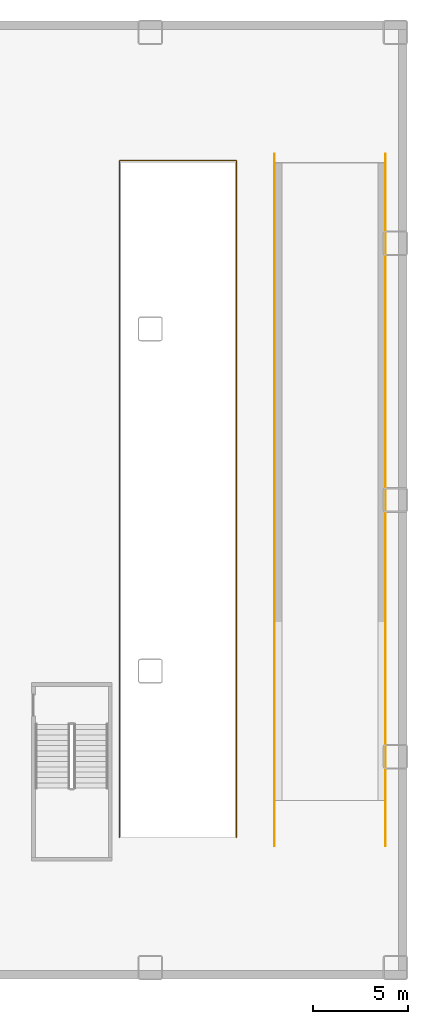
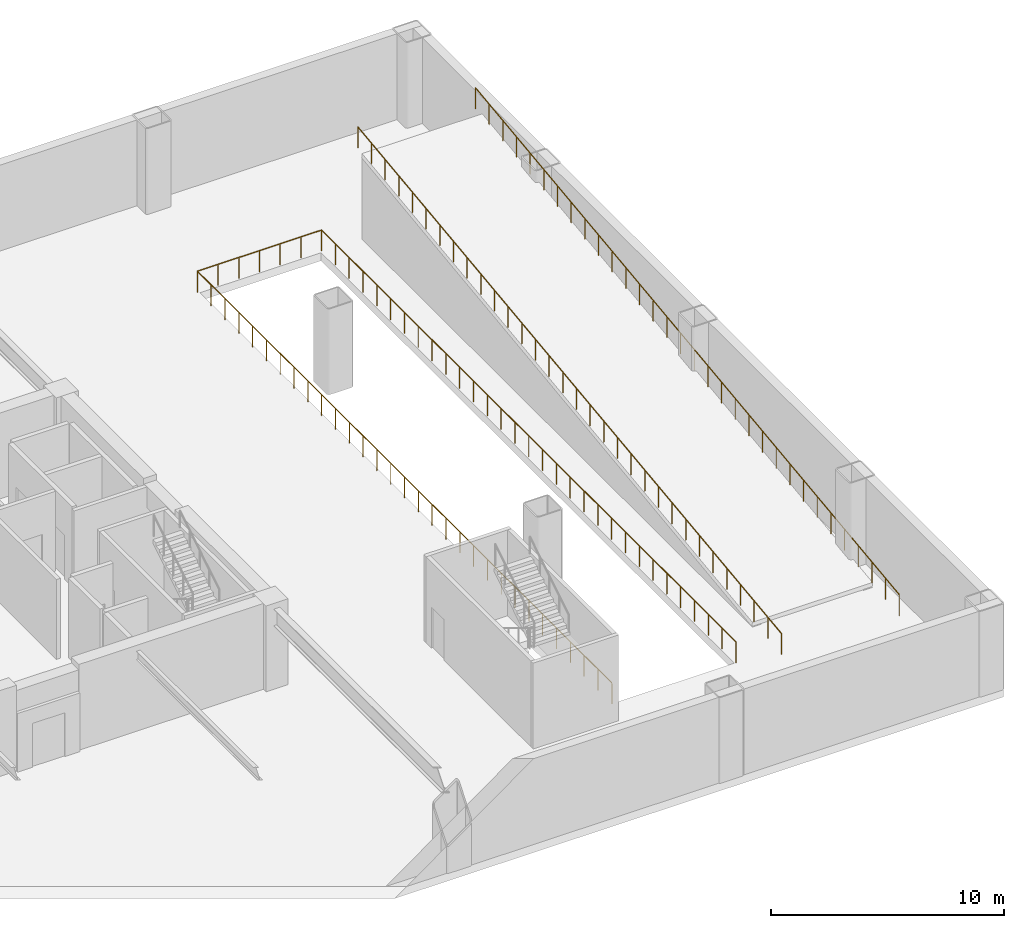
# One storey, part 9 of 9: 3 railings.
"""IFC4 building model written with IfcOpenShell, lengths in metres."""

from ifc_helpers import new_model, si_unit, direction, frame, origin, origin_2d, place, context, subcontext, project, spatial, circle, extrude, material, type_object, element, save


model = new_model("IFC4")

# Units and contexts
model_context = context("Model", 3, precision=1e-05, world=origin(), true_north=direction((0.0, 1.0)))
body_context = subcontext(model_context, "Body", "Model", "MODEL_VIEW")
ifc_project = project(units=[si_unit("LENGTHUNIT", "METRE"), si_unit("AREAUNIT", "SQUARE_METRE"), si_unit("VOLUMEUNIT", "CUBIC_METRE"), si_unit("PLANEANGLEUNIT", "RADIAN"), si_unit("MASSUNIT", "GRAM", prefix="KILO")], contexts=[model_context])

# Site, building, storey
site_placement = place(None, origin())
site = spatial("IfcSite", under=ifc_project, at=site_placement, CompositionType="ELEMENT")
building_placement = place(site_placement, origin())
building = spatial("IfcBuilding", under=site, at=building_placement, Name="Nefas-Gora Pilgrimage Tower", CompositionType="ELEMENT")
storey_placement = place(building_placement, frame((0.0, 0.0, -4.5)))
storey = spatial("IfcBuildingStorey", under=building, at=storey_placement, Name="B01", CompositionType="ELEMENT", Elevation=-4.5)

# Railings
ifc_material = material(Name="Painted galvanised steel", Category="steel")
railing_type = type_object("IfcRailingType", Name="RLG-RMP-1100", PredefinedType="GUARDRAIL", material=ifc_material)
railing_1_placement = place(storey_placement, frame((23.1201171875, -17.75, 0.0)))
element("IfcRailing", 1, at=railing_1_placement, inside=storey, type_object=railing_type, Name="B01 Vehicle Ramp Shaft Guardrail", PredefinedType="GUARDRAIL", context=body_context, shape_type="SweptSolid", body=[
    extrude(circle(Radius=0.02392578125, at=origin_2d()), frame((0.0, 0.0, 1.09619140625), z_axis=(0.0, 1.0, 0.0), x_axis=(-1.0, 0.0, 0.0)), (0.0, 0.0, 1.0), 35.60009765625),
    extrude(circle(Radius=0.02392578125, at=origin_2d()), frame((0.0, 35.60009765625, 1.09619140625), z_axis=(1.0, 0.0, 0.0), x_axis=(0.0, 1.0, 0.0)), (0.0, 0.0, 1.0), 6.159912109375),
    extrude(circle(Radius=0.02392578125, at=origin_2d()), frame((6.159912109375, 35.60009765625, 1.09619140625), z_axis=(0.0, -1.0, 0.0), x_axis=(1.0, 0.0, 0.0)), (0.0, 0.0, 1.0), 35.60009765625),
    extrude(circle(Radius=0.02099609375, at=origin_2d()), origin(), (0.0, 0.0, 1.0), 1.072021484375),
    extrude(circle(Radius=0.02099609375, at=origin_2d()), frame((0.0, 1.186767578125, 0.0)), (0.0, 0.0, 1.0), 1.072021484375),
    extrude(circle(Radius=0.02099609375, at=origin_2d()), frame((0.0, 2.373291015625, 0.0)), (0.0, 0.0, 1.0), 1.072021484375),
    extrude(circle(Radius=0.02099609375, at=origin_2d()), frame((0.0, 3.56005859375, 0.0)), (0.0, 0.0, 1.0), 1.072021484375),
    extrude(circle(Radius=0.02099609375, at=origin_2d()), frame((0.0, 4.74658203125, 0.0)), (0.0, 0.0, 1.0), 1.072021484375),
    extrude(circle(Radius=0.02099609375, at=origin_2d()), frame((0.0, 5.933349609375, 0.0)), (0.0, 0.0, 1.0), 1.072021484375),
    extrude(circle(Radius=0.02099609375, at=origin_2d()), frame((0.0, 7.1201171875, 0.0)), (0.0, 0.0, 1.0), 1.072021484375),
    extrude(circle(Radius=0.02099609375, at=origin_2d()), frame((0.0, 8.306640625, 0.0)), (0.0, 0.0, 1.0), 1.072021484375),
    extrude(circle(Radius=0.02099609375, at=origin_2d()), frame((0.0, 9.493408203125, 0.0)), (0.0, 0.0, 1.0), 1.072021484375),
    extrude(circle(Radius=0.02099609375, at=origin_2d()), frame((0.0, 10.679931640625, 0.0)), (0.0, 0.0, 1.0), 1.072021484375),
    extrude(circle(Radius=0.02099609375, at=origin_2d()), frame((0.0, 11.86669921875, 0.0)), (0.0, 0.0, 1.0), 1.072021484375),
    extrude(circle(Radius=0.02099609375, at=origin_2d()), frame((0.0, 13.053466796875, 0.0)), (0.0, 0.0, 1.0), 1.072021484375),
    extrude(circle(Radius=0.02099609375, at=origin_2d()), frame((0.0, 14.239990234375, 0.0)), (0.0, 0.0, 1.0), 1.072021484375),
    extrude(circle(Radius=0.02099609375, at=origin_2d()), frame((0.0, 15.4267578125, 0.0)), (0.0, 0.0, 1.0), 1.072021484375),
    extrude(circle(Radius=0.02099609375, at=origin_2d()), frame((0.0, 16.61328125, 0.0)), (0.0, 0.0, 1.0), 1.072021484375),
    extrude(circle(Radius=0.02099609375, at=origin_2d()), frame((0.0, 17.800048828125, 0.0)), (0.0, 0.0, 1.0), 1.072021484375),
    extrude(circle(Radius=0.02099609375, at=origin_2d()), frame((0.0, 18.98681640625, 0.0)), (0.0, 0.0, 1.0), 1.072021484375),
    extrude(circle(Radius=0.02099609375, at=origin_2d()), frame((0.0, 20.17333984375, 0.0)), (0.0, 0.0, 1.0), 1.072021484375),
    extrude(circle(Radius=0.02099609375, at=origin_2d()), frame((0.0, 21.360107421875, 0.0)), (0.0, 0.0, 1.0), 1.072021484375),
    extrude(circle(Radius=0.02099609375, at=origin_2d()), frame((0.0, 22.546630859375, 0.0)), (0.0, 0.0, 1.0), 1.072021484375),
    extrude(circle(Radius=0.02099609375, at=origin_2d()), frame((0.0, 23.7333984375, 0.0)), (0.0, 0.0, 1.0), 1.072021484375),
    extrude(circle(Radius=0.02099609375, at=origin_2d()), frame((0.0, 24.920166015625, 0.0)), (0.0, 0.0, 1.0), 1.072021484375),
    extrude(circle(Radius=0.02099609375, at=origin_2d()), frame((0.0, 26.106689453125, 0.0)), (0.0, 0.0, 1.0), 1.072021484375),
    extrude(circle(Radius=0.02099609375, at=origin_2d()), frame((0.0, 27.29345703125, 0.0)), (0.0, 0.0, 1.0), 1.072021484375),
    extrude(circle(Radius=0.02099609375, at=origin_2d()), frame((0.0, 28.47998046875, 0.0)), (0.0, 0.0, 1.0), 1.072021484375),
    extrude(circle(Radius=0.02099609375, at=origin_2d()), frame((0.0, 29.666748046875, 0.0)), (0.0, 0.0, 1.0), 1.072021484375),
    extrude(circle(Radius=0.02099609375, at=origin_2d()), frame((0.0, 30.853515625, 0.0)), (0.0, 0.0, 1.0), 1.072021484375),
    extrude(circle(Radius=0.02099609375, at=origin_2d()), frame((0.0, 32.0400390625, 0.0)), (0.0, 0.0, 1.0), 1.072021484375),
    extrude(circle(Radius=0.02099609375, at=origin_2d()), frame((0.0, 33.226806640625, 0.0)), (0.0, 0.0, 1.0), 1.072021484375),
    extrude(circle(Radius=0.02099609375, at=origin_2d()), frame((0.0, 34.413330078125, 0.0)), (0.0, 0.0, 1.0), 1.072021484375),
    extrude(circle(Radius=0.02099609375, at=origin_2d()), frame((0.0, 35.60009765625, 0.0)), (0.0, 0.0, 1.0), 1.072021484375),
    extrude(circle(Radius=0.02099609375, at=origin_2d()), frame((1.026611328125, 35.60009765625, 0.0)), (0.0, 0.0, 1.0), 1.072021484375),
    extrude(circle(Radius=0.02099609375, at=origin_2d()), frame((2.05322265625, 35.60009765625, 0.0)), (0.0, 0.0, 1.0), 1.072021484375),
    extrude(circle(Radius=0.02099609375, at=origin_2d()), frame((3.080078125, 35.60009765625, 0.0)), (0.0, 0.0, 1.0), 1.072021484375),
    extrude(circle(Radius=0.02099609375, at=origin_2d()), frame((4.106689453125, 35.60009765625, 0.0)), (0.0, 0.0, 1.0), 1.072021484375),
    extrude(circle(Radius=0.02099609375, at=origin_2d()), frame((5.13330078125, 35.60009765625, 0.0)), (0.0, 0.0, 1.0), 1.072021484375),
    extrude(circle(Radius=0.02099609375, at=origin_2d()), frame((6.159912109375, 35.60009765625, 0.0)), (0.0, 0.0, 1.0), 1.072021484375),
    extrude(circle(Radius=0.02099609375, at=origin_2d()), frame((6.159912109375, 34.413330078125, 0.0)), (0.0, 0.0, 1.0), 1.072021484375),
    extrude(circle(Radius=0.02099609375, at=origin_2d()), frame((6.159912109375, 33.226806640625, 0.0)), (0.0, 0.0, 1.0), 1.072021484375),
    extrude(circle(Radius=0.02099609375, at=origin_2d()), frame((6.159912109375, 32.0400390625, 0.0)), (0.0, 0.0, 1.0), 1.072021484375),
    extrude(circle(Radius=0.02099609375, at=origin_2d()), frame((6.159912109375, 30.853515625, 0.0)), (0.0, 0.0, 1.0), 1.072021484375),
    extrude(circle(Radius=0.02099609375, at=origin_2d()), frame((6.159912109375, 29.666748046875, 0.0)), (0.0, 0.0, 1.0), 1.072021484375),
    extrude(circle(Radius=0.02099609375, at=origin_2d()), frame((6.159912109375, 28.47998046875, 0.0)), (0.0, 0.0, 1.0), 1.072021484375),
    extrude(circle(Radius=0.02099609375, at=origin_2d()), frame((6.159912109375, 27.29345703125, 0.0)), (0.0, 0.0, 1.0), 1.072021484375),
    extrude(circle(Radius=0.02099609375, at=origin_2d()), frame((6.159912109375, 26.106689453125, 0.0)), (0.0, 0.0, 1.0), 1.072021484375),
    extrude(circle(Radius=0.02099609375, at=origin_2d()), frame((6.159912109375, 24.920166015625, 0.0)), (0.0, 0.0, 1.0), 1.072021484375),
    extrude(circle(Radius=0.02099609375, at=origin_2d()), frame((6.159912109375, 23.7333984375, 0.0)), (0.0, 0.0, 1.0), 1.072021484375),
    extrude(circle(Radius=0.02099609375, at=origin_2d()), frame((6.159912109375, 22.546630859375, 0.0)), (0.0, 0.0, 1.0), 1.072021484375),
    extrude(circle(Radius=0.02099609375, at=origin_2d()), frame((6.159912109375, 21.360107421875, 0.0)), (0.0, 0.0, 1.0), 1.072021484375),
    extrude(circle(Radius=0.02099609375, at=origin_2d()), frame((6.159912109375, 20.17333984375, 0.0)), (0.0, 0.0, 1.0), 1.072021484375),
    extrude(circle(Radius=0.02099609375, at=origin_2d()), frame((6.159912109375, 18.98681640625, 0.0)), (0.0, 0.0, 1.0), 1.072021484375),
    extrude(circle(Radius=0.02099609375, at=origin_2d()), frame((6.159912109375, 17.800048828125, 0.0)), (0.0, 0.0, 1.0), 1.072021484375),
    extrude(circle(Radius=0.02099609375, at=origin_2d()), frame((6.159912109375, 16.61328125, 0.0)), (0.0, 0.0, 1.0), 1.072021484375),
    extrude(circle(Radius=0.02099609375, at=origin_2d()), frame((6.159912109375, 15.4267578125, 0.0)), (0.0, 0.0, 1.0), 1.072021484375),
    extrude(circle(Radius=0.02099609375, at=origin_2d()), frame((6.159912109375, 14.239990234375, 0.0)), (0.0, 0.0, 1.0), 1.072021484375),
    extrude(circle(Radius=0.02099609375, at=origin_2d()), frame((6.159912109375, 13.053466796875, 0.0)), (0.0, 0.0, 1.0), 1.072021484375),
    extrude(circle(Radius=0.02099609375, at=origin_2d()), frame((6.159912109375, 11.86669921875, 0.0)), (0.0, 0.0, 1.0), 1.072021484375),
    extrude(circle(Radius=0.02099609375, at=origin_2d()), frame((6.159912109375, 10.679931640625, 0.0)), (0.0, 0.0, 1.0), 1.072021484375),
    extrude(circle(Radius=0.02099609375, at=origin_2d()), frame((6.159912109375, 9.493408203125, 0.0)), (0.0, 0.0, 1.0), 1.072021484375),
    extrude(circle(Radius=0.02099609375, at=origin_2d()), frame((6.159912109375, 8.306640625, 0.0)), (0.0, 0.0, 1.0), 1.072021484375),
    extrude(circle(Radius=0.02099609375, at=origin_2d()), frame((6.159912109375, 7.1201171875, 0.0)), (0.0, 0.0, 1.0), 1.072021484375),
    extrude(circle(Radius=0.02099609375, at=origin_2d()), frame((6.159912109375, 5.933349609375, 0.0)), (0.0, 0.0, 1.0), 1.072021484375),
    extrude(circle(Radius=0.02099609375, at=origin_2d()), frame((6.159912109375, 4.74658203125, 0.0)), (0.0, 0.0, 1.0), 1.072021484375),
    extrude(circle(Radius=0.02099609375, at=origin_2d()), frame((6.159912109375, 3.56005859375, 0.0)), (0.0, 0.0, 1.0), 1.072021484375),
    extrude(circle(Radius=0.02099609375, at=origin_2d()), frame((6.159912109375, 2.373291015625, 0.0)), (0.0, 0.0, 1.0), 1.072021484375),
    extrude(circle(Radius=0.02099609375, at=origin_2d()), frame((6.159912109375, 1.186767578125, 0.0)), (0.0, 0.0, 1.0), 1.072021484375),
    extrude(circle(Radius=0.02099609375, at=origin_2d()), frame((6.159912109375, 0.0, 0.0)), (0.0, 0.0, 1.0), 1.072021484375),
])
railing_2_placement = place(storey_placement, frame((31.280029296875, -18.199951171875, 0.0)))
element("IfcRailing", 2, at=railing_2_placement, inside=storey, type_object=railing_type, Name="B01-L00 Sloped Vehicle Ramp Guardrail W", PredefinedType="GUARDRAIL", context=body_context, shape_type="SweptSolid", body=[
    extrude(circle(Radius=0.02392578125, at=origin_2d()), frame((0.0, 0.0, 1.09619140625), z_axis=(0.0, 0.992444713175, 0.122692670082), x_axis=(-1.0, 0.0, 0.0)), (0.0, 0.0, 1.0), 36.677001953125),
    extrude(circle(Radius=0.02099609375, at=origin_2d()), origin(), (0.0, 0.0, 1.0), 1.072021484375),
    extrude(circle(Radius=0.02099609375, at=origin_2d()), frame((0.0, 1.174072265625, 0.145263671875)), (0.0, 0.0, 1.0), 1.072021484375),
    extrude(circle(Radius=0.02099609375, at=origin_2d()), frame((0.0, 2.348388671875, 0.290283203125)), (0.0, 0.0, 1.0), 1.072021484375),
    extrude(circle(Radius=0.02099609375, at=origin_2d()), frame((0.0, 3.5224609375, 0.435546875)), (0.0, 0.0, 1.0), 1.072021484375),
    extrude(circle(Radius=0.02099609375, at=origin_2d()), frame((0.0, 4.69677734375, 0.58056640625)), (0.0, 0.0, 1.0), 1.072021484375),
    extrude(circle(Radius=0.02099609375, at=origin_2d()), frame((0.0, 5.870849609375, 0.725830078125)), (0.0, 0.0, 1.0), 1.072021484375),
    extrude(circle(Radius=0.02099609375, at=origin_2d()), frame((0.0, 7.045166015625, 0.870849609375)), (0.0, 0.0, 1.0), 1.072021484375),
    extrude(circle(Radius=0.02099609375, at=origin_2d()), frame((0.0, 8.21923828125, 1.01611328125)), (0.0, 0.0, 1.0), 1.072021484375),
    extrude(circle(Radius=0.02099609375, at=origin_2d()), frame((0.0, 9.3935546875, 1.161376953125)), (0.0, 0.0, 1.0), 1.072021484375),
    extrude(circle(Radius=0.02099609375, at=origin_2d()), frame((0.0, 10.567626953125, 1.306396484375)), (0.0, 0.0, 1.0), 1.072021484375),
    extrude(circle(Radius=0.02099609375, at=origin_2d()), frame((0.0, 11.741943359375, 1.45166015625)), (0.0, 0.0, 1.0), 1.072021484375),
    extrude(circle(Radius=0.02099609375, at=origin_2d()), frame((0.0, 12.916015625, 1.5966796875)), (0.0, 0.0, 1.0), 1.072021484375),
    extrude(circle(Radius=0.02099609375, at=origin_2d()), frame((0.0, 14.09033203125, 1.741943359375)), (0.0, 0.0, 1.0), 1.072021484375),
    extrude(circle(Radius=0.02099609375, at=origin_2d()), frame((0.0, 15.264404296875, 1.88720703125)), (0.0, 0.0, 1.0), 1.072021484375),
    extrude(circle(Radius=0.02099609375, at=origin_2d()), frame((0.0, 16.438720703125, 2.0322265625)), (0.0, 0.0, 1.0), 1.072021484375),
    extrude(circle(Radius=0.02099609375, at=origin_2d()), frame((0.0, 17.61279296875, 2.177490234375)), (0.0, 0.0, 1.0), 1.072021484375),
    extrude(circle(Radius=0.02099609375, at=origin_2d()), frame((0.0, 18.787109375, 2.322509765625)), (0.0, 0.0, 1.0), 1.072021484375),
    extrude(circle(Radius=0.02099609375, at=origin_2d()), frame((0.0, 19.961181640625, 2.4677734375)), (0.0, 0.0, 1.0), 1.072021484375),
    extrude(circle(Radius=0.02099609375, at=origin_2d()), frame((0.0, 21.135498046875, 2.61279296875)), (0.0, 0.0, 1.0), 1.072021484375),
    extrude(circle(Radius=0.02099609375, at=origin_2d()), frame((0.0, 22.3095703125, 2.758056640625)), (0.0, 0.0, 1.0), 1.072021484375),
    extrude(circle(Radius=0.02099609375, at=origin_2d()), frame((0.0, 23.48388671875, 2.9033203125)), (0.0, 0.0, 1.0), 1.072021484375),
    extrude(circle(Radius=0.02099609375, at=origin_2d()), frame((0.0, 24.657958984375, 3.04833984375)), (0.0, 0.0, 1.0), 1.072021484375),
    extrude(circle(Radius=0.02099609375, at=origin_2d()), frame((0.0, 25.832275390625, 3.193603515625)), (0.0, 0.0, 1.0), 1.072021484375),
    extrude(circle(Radius=0.02099609375, at=origin_2d()), frame((0.0, 27.00634765625, 3.338623046875)), (0.0, 0.0, 1.0), 1.072021484375),
    extrude(circle(Radius=0.02099609375, at=origin_2d()), frame((0.0, 28.1806640625, 3.48388671875)), (0.0, 0.0, 1.0), 1.072021484375),
    extrude(circle(Radius=0.02099609375, at=origin_2d()), frame((0.0, 29.354736328125, 3.629150390625)), (0.0, 0.0, 1.0), 1.072021484375),
    extrude(circle(Radius=0.02099609375, at=origin_2d()), frame((0.0, 30.529052734375, 3.774169921875)), (0.0, 0.0, 1.0), 1.072021484375),
    extrude(circle(Radius=0.02099609375, at=origin_2d()), frame((0.0, 31.703125, 3.91943359375)), (0.0, 0.0, 1.0), 1.072021484375),
    extrude(circle(Radius=0.02099609375, at=origin_2d()), frame((0.0, 32.87744140625, 4.064453125)), (0.0, 0.0, 1.0), 1.072021484375),
    extrude(circle(Radius=0.02099609375, at=origin_2d()), frame((0.0, 34.051513671875, 4.209716796875)), (0.0, 0.0, 1.0), 1.072021484375),
    extrude(circle(Radius=0.02099609375, at=origin_2d()), frame((0.0, 35.225830078125, 4.354736328125)), (0.0, 0.0, 1.0), 1.072021484375),
    extrude(circle(Radius=0.02099609375, at=origin_2d()), frame((0.0, 36.39990234375, 4.5)), (0.0, 0.0, 1.0), 1.072021484375),
])
railing_3_placement = place(storey_placement, frame((37.1201171875, -18.199951171875, 0.0)))
element("IfcRailing", 3, at=railing_3_placement, inside=storey, type_object=railing_type, Name="B01-L00 Sloped Vehicle Ramp Guardrail E", PredefinedType="GUARDRAIL", context=body_context, shape_type="SweptSolid", body=[
    extrude(circle(Radius=0.02392578125, at=origin_2d()), frame((0.0, 0.0, 1.09619140625), z_axis=(0.0, 0.992444713175, 0.122692670082), x_axis=(-1.0, 0.0, 0.0)), (0.0, 0.0, 1.0), 36.677001953125),
    extrude(circle(Radius=0.02099609375, at=origin_2d()), origin(), (0.0, 0.0, 1.0), 1.072021484375),
    extrude(circle(Radius=0.02099609375, at=origin_2d()), frame((0.0, 1.174072265625, 0.145263671875)), (0.0, 0.0, 1.0), 1.072021484375),
    extrude(circle(Radius=0.02099609375, at=origin_2d()), frame((0.0, 2.348388671875, 0.290283203125)), (0.0, 0.0, 1.0), 1.072021484375),
    extrude(circle(Radius=0.02099609375, at=origin_2d()), frame((0.0, 3.5224609375, 0.435546875)), (0.0, 0.0, 1.0), 1.072021484375),
    extrude(circle(Radius=0.02099609375, at=origin_2d()), frame((0.0, 4.69677734375, 0.58056640625)), (0.0, 0.0, 1.0), 1.072021484375),
    extrude(circle(Radius=0.02099609375, at=origin_2d()), frame((0.0, 5.870849609375, 0.725830078125)), (0.0, 0.0, 1.0), 1.072021484375),
    extrude(circle(Radius=0.02099609375, at=origin_2d()), frame((0.0, 7.045166015625, 0.870849609375)), (0.0, 0.0, 1.0), 1.072021484375),
    extrude(circle(Radius=0.02099609375, at=origin_2d()), frame((0.0, 8.21923828125, 1.01611328125)), (0.0, 0.0, 1.0), 1.072021484375),
    extrude(circle(Radius=0.02099609375, at=origin_2d()), frame((0.0, 9.3935546875, 1.161376953125)), (0.0, 0.0, 1.0), 1.072021484375),
    extrude(circle(Radius=0.02099609375, at=origin_2d()), frame((0.0, 10.567626953125, 1.306396484375)), (0.0, 0.0, 1.0), 1.072021484375),
    extrude(circle(Radius=0.02099609375, at=origin_2d()), frame((0.0, 11.741943359375, 1.45166015625)), (0.0, 0.0, 1.0), 1.072021484375),
    extrude(circle(Radius=0.02099609375, at=origin_2d()), frame((0.0, 12.916015625, 1.5966796875)), (0.0, 0.0, 1.0), 1.072021484375),
    extrude(circle(Radius=0.02099609375, at=origin_2d()), frame((0.0, 14.09033203125, 1.741943359375)), (0.0, 0.0, 1.0), 1.072021484375),
    extrude(circle(Radius=0.02099609375, at=origin_2d()), frame((0.0, 15.264404296875, 1.88720703125)), (0.0, 0.0, 1.0), 1.072021484375),
    extrude(circle(Radius=0.02099609375, at=origin_2d()), frame((0.0, 16.438720703125, 2.0322265625)), (0.0, 0.0, 1.0), 1.072021484375),
    extrude(circle(Radius=0.02099609375, at=origin_2d()), frame((0.0, 17.61279296875, 2.177490234375)), (0.0, 0.0, 1.0), 1.072021484375),
    extrude(circle(Radius=0.02099609375, at=origin_2d()), frame((0.0, 18.787109375, 2.322509765625)), (0.0, 0.0, 1.0), 1.072021484375),
    extrude(circle(Radius=0.02099609375, at=origin_2d()), frame((0.0, 19.961181640625, 2.4677734375)), (0.0, 0.0, 1.0), 1.072021484375),
    extrude(circle(Radius=0.02099609375, at=origin_2d()), frame((0.0, 21.135498046875, 2.61279296875)), (0.0, 0.0, 1.0), 1.072021484375),
    extrude(circle(Radius=0.02099609375, at=origin_2d()), frame((0.0, 22.3095703125, 2.758056640625)), (0.0, 0.0, 1.0), 1.072021484375),
    extrude(circle(Radius=0.02099609375, at=origin_2d()), frame((0.0, 23.48388671875, 2.9033203125)), (0.0, 0.0, 1.0), 1.072021484375),
    extrude(circle(Radius=0.02099609375, at=origin_2d()), frame((0.0, 24.657958984375, 3.04833984375)), (0.0, 0.0, 1.0), 1.072021484375),
    extrude(circle(Radius=0.02099609375, at=origin_2d()), frame((0.0, 25.832275390625, 3.193603515625)), (0.0, 0.0, 1.0), 1.072021484375),
    extrude(circle(Radius=0.02099609375, at=origin_2d()), frame((0.0, 27.00634765625, 3.338623046875)), (0.0, 0.0, 1.0), 1.072021484375),
    extrude(circle(Radius=0.02099609375, at=origin_2d()), frame((0.0, 28.1806640625, 3.48388671875)), (0.0, 0.0, 1.0), 1.072021484375),
    extrude(circle(Radius=0.02099609375, at=origin_2d()), frame((0.0, 29.354736328125, 3.629150390625)), (0.0, 0.0, 1.0), 1.072021484375),
    extrude(circle(Radius=0.02099609375, at=origin_2d()), frame((0.0, 30.529052734375, 3.774169921875)), (0.0, 0.0, 1.0), 1.072021484375),
    extrude(circle(Radius=0.02099609375, at=origin_2d()), frame((0.0, 31.703125, 3.91943359375)), (0.0, 0.0, 1.0), 1.072021484375),
    extrude(circle(Radius=0.02099609375, at=origin_2d()), frame((0.0, 32.87744140625, 4.064453125)), (0.0, 0.0, 1.0), 1.072021484375),
    extrude(circle(Radius=0.02099609375, at=origin_2d()), frame((0.0, 34.051513671875, 4.209716796875)), (0.0, 0.0, 1.0), 1.072021484375),
    extrude(circle(Radius=0.02099609375, at=origin_2d()), frame((0.0, 35.225830078125, 4.354736328125)), (0.0, 0.0, 1.0), 1.072021484375),
    extrude(circle(Radius=0.02099609375, at=origin_2d()), frame((0.0, 36.39990234375, 4.5)), (0.0, 0.0, 1.0), 1.072021484375),
])

save(model, "model.ifc")
